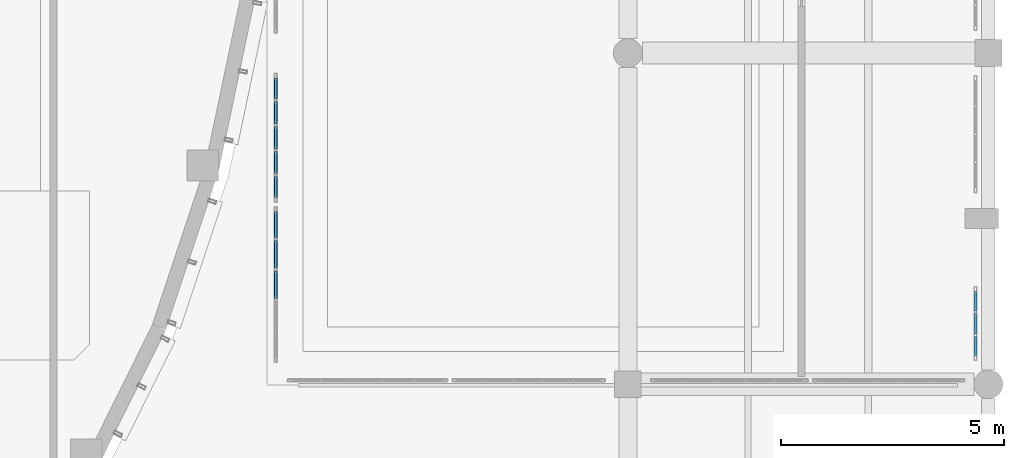
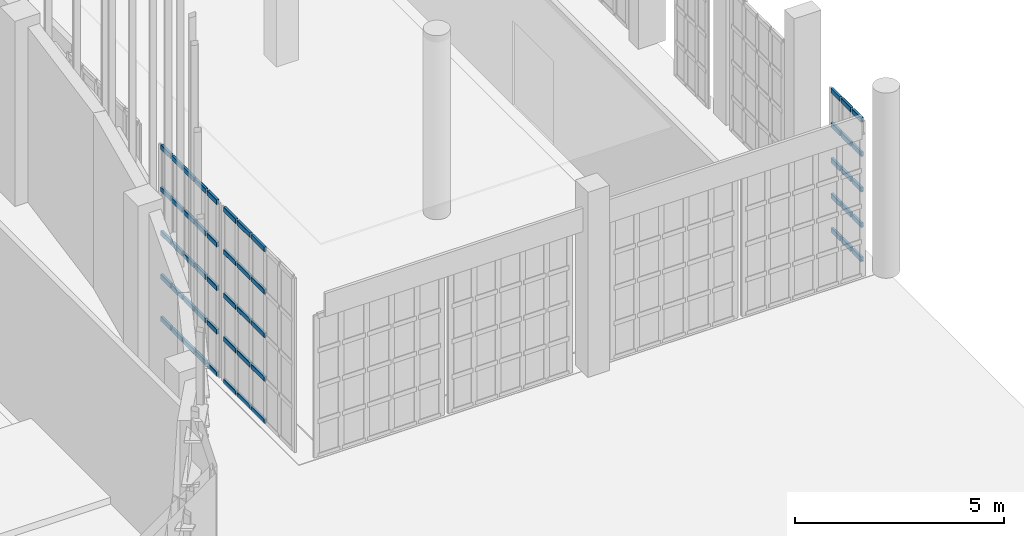
# One storey, part 314 of 372: 55 members, 3 elements without a shape of their own.
"""IFC4 building model written with IfcOpenShell, lengths in metres."""

import ifcopenshell
import ifcopenshell.guid

model = None  # the IFC model being written
_history = None  # IfcOwnerHistory: only IFC2X3 demands one
_inside = {}  # id of a spatial element -> (the spatial element, [elements in it])
_under = {}  # id of a project, library or spatial element -> (it, [spatial elements below it])
_declared = {}  # id of a project -> (the project, [libraries it declares])
_typed = {}  # id of a type object -> (the type object, [elements of that type])
_made_of = {}  # id of a material, layer set ... -> (it, [elements and type objects made of it])


def new_model(schema):
    """Start an empty IFC model of exactly this schema.

    Asked for "IFC4X3", IfcOpenShell would pick the latest addendum, in which some entities
    have other attributes; the version numbers below select the first issue.
    IFC2X3 requires an IfcOwnerHistory on every rooted entity: one is made here for all.
    """
    global model, _history
    if schema == "IFC4X3":
        model = ifcopenshell.file(schema_version=(4, 3, 0, 0))
    else:
        model = ifcopenshell.file(schema=schema)
    _inside.clear()
    _under.clear()
    _declared.clear()
    _typed.clear()
    _made_of.clear()
    _history = None
    if model.schema == "IFC2X3":
        org = make("IfcOrganization", Name="unknown")
        user = make(
            "IfcPersonAndOrganization",
            ThePerson=make("IfcPerson", FamilyName="unknown"),
            TheOrganization=org,
        )
        app = make(
            "IfcApplication",
            ApplicationDeveloper=org,
            Version="unknown",
            ApplicationFullName="unknown",
            ApplicationIdentifier="unknown",
        )
        _history = make(
            "IfcOwnerHistory",
            OwningUser=user,
            OwningApplication=app,
            ChangeAction="ADDED",
            CreationDate=0,
        )
    return model


def make(cls, **values):
    """One entity of the class cls with the attributes given. An attribute that is None is left unset."""
    return model.create_entity(
        cls, **{name: value for name, value in values.items() if value is not None}
    )


def rooted(cls, **values):
    """An entity with a GlobalId (a new one), such as an element, a storey or a relation."""
    return make(cls, GlobalId=ifcopenshell.guid.new(), OwnerHistory=_history, **values)


def si_unit(unit_type, name, prefix=None):
    """IfcSIUnit, for example si_unit("LENGTHUNIT", "METRE", prefix="MILLI")."""
    return make("IfcSIUnit", UnitType=unit_type, Prefix=prefix, Name=name)


def assignment(units):
    """IfcUnitAssignment: the units of a project."""
    return None if units is None else make("IfcUnitAssignment", Units=units)


def point(xyz):
    """IfcCartesianPoint."""
    return None if xyz is None else make("IfcCartesianPoint", Coordinates=xyz)


def direction(xyz):
    """IfcDirection."""
    return None if xyz is None else make("IfcDirection", DirectionRatios=xyz)


def frame(location, z_axis=None, x_axis=None):
    """IfcAxis2Placement3D, a coordinate frame: its origin and axes. An axis left out is left unset."""
    return make(
        "IfcAxis2Placement3D",
        Location=point(location),
        Axis=direction(z_axis),
        RefDirection=direction(x_axis),
    )


def frame_2d(location, x_axis=None):
    """IfcAxis2Placement2D, a coordinate frame in the plane: its origin and x axis."""
    return make(
        "IfcAxis2Placement2D", Location=point(location), RefDirection=direction(x_axis)
    )


def origin():
    """The frame at (0, 0, 0) with its axes left unset."""
    return frame((0.0, 0.0, 0.0))


def origin_2d():
    """The frame at (0, 0) in the plane with its x axis left unset."""
    return frame_2d((0.0, 0.0))


def place(relative_to, where):
    """IfcLocalPlacement: puts the frame where relative to a parent placement (None: the world)."""
    return make(
        "IfcLocalPlacement", PlacementRelTo=relative_to, RelativePlacement=where
    )


def context(
    kind, dimensions, precision=None, world=None, true_north=None, identifier=None
):
    """IfcGeometricRepresentationContext, for example the 3D "Model" context."""
    return make(
        "IfcGeometricRepresentationContext",
        ContextIdentifier=identifier,
        ContextType=kind,
        CoordinateSpaceDimension=dimensions,
        Precision=precision,
        WorldCoordinateSystem=world,
        TrueNorth=true_north,
    )


def subcontext(parent, identifier, kind, view, scale=None):
    """IfcGeometricRepresentationSubContext, for example "Body" below "Model"."""
    return make(
        "IfcGeometricRepresentationSubContext",
        ContextIdentifier=identifier,
        ContextType=kind,
        ParentContext=parent,
        TargetScale=scale,
        TargetView=view,
    )


def project(units=None, contexts=None):
    """IfcProject with its units and contexts."""
    return rooted(
        "IfcProject",
        Name="project",
        RepresentationContexts=contexts,
        UnitsInContext=assignment(units),
    )


def spatial(cls, under=None, at=None, **own):
    """A site, building, storey or space (cls), placed at a placement, below another one or the project."""
    s = rooted(cls, ObjectPlacement=at, **own)
    if under is not None:
        _under.setdefault(under.id(), (under, []))[1].append(s)
    return s


def profile(cls, at=None, kind="AREA", **sizes):
    """A parametric profile (cls). Its sizes go by their IFC names, for example OverallWidth=200.0."""
    return make(cls, ProfileType=kind, Position=at, **sizes)


def hollow_rectangle(**sizes):
    """IfcRectangleHollowProfileDef."""
    return profile("IfcRectangleHollowProfileDef", **sizes)


def extrude(swept, where, along, depth):
    """IfcExtrudedAreaSolid: the profile swept, set in the frame where, extruded along a direction by depth."""
    return make(
        "IfcExtrudedAreaSolid",
        SweptArea=swept,
        Position=where,
        ExtrudedDirection=direction(along),
        Depth=depth,
    )


def shape(context_of_items, identifier, shape_type, items):
    """IfcShapeRepresentation: the items that make up one representation, for example the "Body"."""
    return make(
        "IfcShapeRepresentation",
        ContextOfItems=context_of_items,
        RepresentationIdentifier=identifier,
        RepresentationType=shape_type,
        Items=items,
    )


def material(Name=None, Category=None):
    """IfcMaterial."""
    return make("IfcMaterial", Name=Name, Category=Category)


def material_profile(
    of_material, cross_section, Name=None, Category=None, Priority=None
):
    """IfcMaterialProfile: a cross section and its material."""
    return make(
        "IfcMaterialProfile",
        Name=Name,
        Material=of_material,
        Profile=cross_section,
        Priority=Priority,
        Category=Category,
    )


def profile_set(profiles, Name=None, composite=None):
    """IfcMaterialProfileSet."""
    return make(
        "IfcMaterialProfileSet",
        Name=Name,
        MaterialProfiles=profiles,
        CompositeProfile=composite,
    )


def made_of(thing, what):
    """Note that an element or type object is made of a material, layer set ...; save() writes the relation."""
    if what is not None:
        _made_of.setdefault(what.id(), (what, []))[1].append(thing)
    return thing


def type_object(cls, material=None, **own):
    """A type object (cls), such as IfcWallType, which elements share."""
    return made_of(rooted(cls, **own), material)


def element(
    cls,
    number,
    at=None,
    inside=None,
    cuts=None,
    type_object=None,
    material=None,
    context=None,
    identifier="Body",
    shape_type=None,
    held_by="IfcProductDefinitionShape",
    body=None,
    shapes=None,
    **own,
):
    """One element of the class cls, such as IfcWall. Its Tag is "e" and its number.

    at: its placement. inside: the storey or other place that contains it. cuts: it is an
    opening in that element (IfcRelVoidsElement). A single representation is given by context,
    identifier, shape_type and body (its items); several are given by shapes. held_by: the class
    of the entity that holds the representations. save() writes the other relations.
    """
    e = rooted(cls, Tag="e%d" % number, ObjectPlacement=at, **own)
    if body is not None:
        shapes = [shape(context, identifier, shape_type, body)]
    if shapes is not None:
        e.Representation = make(held_by, Representations=shapes)
    if inside is not None:
        _inside.setdefault(inside.id(), (inside, []))[1].append(e)
    if cuts is not None:
        rooted(
            "IfcRelVoidsElement", RelatingBuildingElement=cuts, RelatedOpeningElement=e
        )
    if type_object is not None:
        _typed.setdefault(type_object.id(), (type_object, []))[1].append(e)
    return made_of(e, material)


def aggregate(whole, parts):
    """IfcRelAggregates: a whole, such as a stair, and the parts it consists of."""
    return rooted("IfcRelAggregates", RelatingObject=whole, RelatedObjects=parts)


def save(model, path):
    """Write the relations noted so far, then the file.

    IfcRelAggregates (storeys below a building ...), IfcRelContainedInSpatialStructure (elements
    in a storey), IfcRelDefinesByType, IfcRelAssociatesMaterial and IfcRelDeclares: one each for
    every whole, place, type object, material and project.
    """
    for whole, parts in _under.values():
        aggregate(whole, parts)
    for where, things in _inside.values():
        rooted(
            "IfcRelContainedInSpatialStructure",
            RelatedElements=things,
            RelatingStructure=where,
        )
    for kind, things in _typed.values():
        rooted("IfcRelDefinesByType", RelatedObjects=things, RelatingType=kind)
    for what, things in _made_of.values():
        rooted("IfcRelAssociatesMaterial", RelatedObjects=things, RelatingMaterial=what)
    for by, libraries in _declared.values():
        rooted("IfcRelDeclares", RelatingContext=by, RelatedDefinitions=libraries)
    model.write(path)


model = new_model("IFC4")

# Units and contexts
model_context = context("Model", 3, precision=1e-05, world=origin(), true_north=direction((0.0, 1.0)))
body_context = subcontext(model_context, "Body", "Model", "MODEL_VIEW")
ifc_project = project(units=[si_unit("LENGTHUNIT", "METRE"), si_unit("AREAUNIT", "SQUARE_METRE"), si_unit("VOLUMEUNIT", "CUBIC_METRE"), si_unit("PLANEANGLEUNIT", "RADIAN"), si_unit("MASSUNIT", "GRAM", prefix="KILO")], contexts=[model_context])

# Site, building, storey
site_placement = place(None, origin())
site = spatial("IfcSite", under=ifc_project, at=site_placement, CompositionType="ELEMENT")
building_placement = place(site_placement, origin())
building = spatial("IfcBuilding", under=site, at=building_placement, Name="Kaelora Sail Theatre", CompositionType="ELEMENT")
storey_placement = place(building_placement, origin())
storey = spatial("IfcBuildingStorey", under=building, at=storey_placement, Name="L00", CompositionType="ELEMENT", Elevation=0.0)

# Curtain wall, members
ifc_material_1 = material(Name="Anodised aluminium and solar-control low-E IGU", Category="aluminium")
curtain_wall_type_1 = type_object("IfcCurtainWallType", Name="ARC-CW-CW-FOY2", PredefinedType="NOTDEFINED", material=ifc_material_1)
curtain_wall_1_placement = place(storey_placement, origin())
curtain_wall_1 = element("IfcCurtainWall", 1, at=curtain_wall_1_placement, inside=storey, type_object=curtain_wall_type_1, Name="Glazed Colonnade/Courtyard Curtain Wall COLE-W-L00-01", PredefinedType="NOTDEFINED")
ifc_material_2 = material(Name="Anodised aluminium 6063-T6", Category="aluminium")
ifc_material_profile = material_profile(ifc_material_2, hollow_rectangle(XDim=0.070068359375, YDim=0.139892578125, WallThickness=0.00390625, InnerFilletRadius=0.00390625, OuterFilletRadius=0.008056640625, at=origin_2d()), Name="ALU-TRAN 70x140x4")
ifc_profile_set = profile_set([ifc_material_profile], Name="Anodised aluminium 6063-T6")
member_type = type_object("IfcMemberType", Name="ARC-MEM-TR-140", PredefinedType="USERDEFINED", material=ifc_profile_set)
member_1_placement = place(storey_placement, frame((147.489990234375, 33.18994140625, 0.034912109375), z_axis=(0.0, 1.0, 0.0), x_axis=(-1.0, 0.0, 0.0)))
member_1 = element("IfcMember", 2, at=member_1_placement, type_object=member_type, Name="CW-FOY2 transom 3.1", ObjectType="TRANSOM", PredefinedType="USERDEFINED", context=body_context, shape_type="SweptSolid", body=[
    extrude(hollow_rectangle(XDim=0.070068359375, YDim=0.139892578125, WallThickness=0.00390625, InnerFilletRadius=0.00390625, OuterFilletRadius=0.008056640625, at=origin_2d()), origin(), (0.0, 0.0, 1.0), 0.6201171875),
])
member_2_placement = place(storey_placement, frame((147.489990234375, 33.18994140625, 1.271240234375), z_axis=(0.0, 1.0, 0.0), x_axis=(-1.0, 0.0, 0.0)))
member_2 = element("IfcMember", 3, at=member_2_placement, type_object=member_type, Name="CW-FOY2 transom 3.2", ObjectType="TRANSOM", PredefinedType="USERDEFINED", context=body_context, shape_type="SweptSolid", body=[
    extrude(hollow_rectangle(XDim=0.070068359375, YDim=0.139892578125, WallThickness=0.00390625, InnerFilletRadius=0.00390625, OuterFilletRadius=0.008056640625, at=origin_2d()), origin(), (0.0, 0.0, 1.0), 0.6201171875),
])
member_3_placement = place(storey_placement, frame((147.489990234375, 33.18994140625, 2.54248046875), z_axis=(0.0, 1.0, 0.0), x_axis=(-1.0, 0.0, 0.0)))
member_3 = element("IfcMember", 4, at=member_3_placement, type_object=member_type, Name="CW-FOY2 transom 3.3", ObjectType="TRANSOM", PredefinedType="USERDEFINED", context=body_context, shape_type="SweptSolid", body=[
    extrude(hollow_rectangle(XDim=0.070068359375, YDim=0.139892578125, WallThickness=0.00390625, InnerFilletRadius=0.00390625, OuterFilletRadius=0.008056640625, at=origin_2d()), origin(), (0.0, 0.0, 1.0), 0.6201171875),
])
member_4_placement = place(storey_placement, frame((147.489990234375, 33.18994140625, 3.813720703125), z_axis=(0.0, 1.0, 0.0), x_axis=(-1.0, 0.0, 0.0)))
member_4 = element("IfcMember", 5, at=member_4_placement, type_object=member_type, Name="CW-FOY2 transom 3.4", ObjectType="TRANSOM", PredefinedType="USERDEFINED", context=body_context, shape_type="SweptSolid", body=[
    extrude(hollow_rectangle(XDim=0.070068359375, YDim=0.139892578125, WallThickness=0.00390625, InnerFilletRadius=0.00390625, OuterFilletRadius=0.008056640625, at=origin_2d()), origin(), (0.0, 0.0, 1.0), 0.6201171875),
])
member_5_placement = place(storey_placement, frame((147.489990234375, 33.18994140625, 5.050048828125), z_axis=(0.0, 1.0, 0.0), x_axis=(-1.0, 0.0, 0.0)))
member_5 = element("IfcMember", 6, at=member_5_placement, type_object=member_type, Name="CW-FOY2 transom 3.5", ObjectType="TRANSOM", PredefinedType="USERDEFINED", context=body_context, shape_type="SweptSolid", body=[
    extrude(hollow_rectangle(XDim=0.070068359375, YDim=0.139892578125, WallThickness=0.00390625, InnerFilletRadius=0.00390625, OuterFilletRadius=0.008056640625, at=origin_2d()), origin(), (0.0, 0.0, 1.0), 0.6201171875),
])
member_6_placement = place(storey_placement, frame((147.489990234375, 33.8701171875, 0.034912109375), z_axis=(0.0, 1.0, 0.0), x_axis=(-1.0, 0.0, 0.0)))
member_6 = element("IfcMember", 7, at=member_6_placement, type_object=member_type, Name="CW-FOY2 transom 4.1", ObjectType="TRANSOM", PredefinedType="USERDEFINED", context=body_context, shape_type="SweptSolid", body=[
    extrude(hollow_rectangle(XDim=0.070068359375, YDim=0.139892578125, WallThickness=0.00390625, InnerFilletRadius=0.00390625, OuterFilletRadius=0.008056640625, at=origin_2d()), origin(), (0.0, 0.0, 1.0), 0.619873046875),
])
member_7_placement = place(storey_placement, frame((147.489990234375, 33.8701171875, 1.271240234375), z_axis=(0.0, 1.0, 0.0), x_axis=(-1.0, 0.0, 0.0)))
member_7 = element("IfcMember", 8, at=member_7_placement, type_object=member_type, Name="CW-FOY2 transom 4.2", ObjectType="TRANSOM", PredefinedType="USERDEFINED", context=body_context, shape_type="SweptSolid", body=[
    extrude(hollow_rectangle(XDim=0.070068359375, YDim=0.139892578125, WallThickness=0.00390625, InnerFilletRadius=0.00390625, OuterFilletRadius=0.008056640625, at=origin_2d()), origin(), (0.0, 0.0, 1.0), 0.619873046875),
])
member_8_placement = place(storey_placement, frame((147.489990234375, 33.8701171875, 2.54248046875), z_axis=(0.0, 1.0, 0.0), x_axis=(-1.0, 0.0, 0.0)))
member_8 = element("IfcMember", 9, at=member_8_placement, type_object=member_type, Name="CW-FOY2 transom 4.3", ObjectType="TRANSOM", PredefinedType="USERDEFINED", context=body_context, shape_type="SweptSolid", body=[
    extrude(hollow_rectangle(XDim=0.070068359375, YDim=0.139892578125, WallThickness=0.00390625, InnerFilletRadius=0.00390625, OuterFilletRadius=0.008056640625, at=origin_2d()), origin(), (0.0, 0.0, 1.0), 0.619873046875),
])
member_9_placement = place(storey_placement, frame((147.489990234375, 33.8701171875, 3.813720703125), z_axis=(0.0, 1.0, 0.0), x_axis=(-1.0, 0.0, 0.0)))
member_9 = element("IfcMember", 10, at=member_9_placement, type_object=member_type, Name="CW-FOY2 transom 4.4", ObjectType="TRANSOM", PredefinedType="USERDEFINED", context=body_context, shape_type="SweptSolid", body=[
    extrude(hollow_rectangle(XDim=0.070068359375, YDim=0.139892578125, WallThickness=0.00390625, InnerFilletRadius=0.00390625, OuterFilletRadius=0.008056640625, at=origin_2d()), origin(), (0.0, 0.0, 1.0), 0.619873046875),
])
member_10_placement = place(storey_placement, frame((147.489990234375, 33.8701171875, 5.050048828125), z_axis=(0.0, 1.0, 0.0), x_axis=(-1.0, 0.0, 0.0)))
member_10 = element("IfcMember", 11, at=member_10_placement, type_object=member_type, Name="CW-FOY2 transom 4.5", ObjectType="TRANSOM", PredefinedType="USERDEFINED", context=body_context, shape_type="SweptSolid", body=[
    extrude(hollow_rectangle(XDim=0.070068359375, YDim=0.139892578125, WallThickness=0.00390625, InnerFilletRadius=0.00390625, OuterFilletRadius=0.008056640625, at=origin_2d()), origin(), (0.0, 0.0, 1.0), 0.619873046875),
])
member_11_placement = place(storey_placement, frame((147.489990234375, 34.550048828125, 0.034912109375), z_axis=(0.0, 1.0, 0.0), x_axis=(-1.0, 0.0, 0.0)))
member_11 = element("IfcMember", 12, at=member_11_placement, type_object=member_type, Name="CW-FOY2 transom 5.1", ObjectType="TRANSOM", PredefinedType="USERDEFINED", context=body_context, shape_type="SweptSolid", body=[
    extrude(hollow_rectangle(XDim=0.070068359375, YDim=0.139892578125, WallThickness=0.00390625, InnerFilletRadius=0.00390625, OuterFilletRadius=0.008056640625, at=origin_2d()), origin(), (0.0, 0.0, 1.0), 0.58984375),
])
member_12_placement = place(storey_placement, frame((147.489990234375, 34.550048828125, 1.271240234375), z_axis=(0.0, 1.0, 0.0), x_axis=(-1.0, 0.0, 0.0)))
member_12 = element("IfcMember", 13, at=member_12_placement, type_object=member_type, Name="CW-FOY2 transom 5.2", ObjectType="TRANSOM", PredefinedType="USERDEFINED", context=body_context, shape_type="SweptSolid", body=[
    extrude(hollow_rectangle(XDim=0.070068359375, YDim=0.139892578125, WallThickness=0.00390625, InnerFilletRadius=0.00390625, OuterFilletRadius=0.008056640625, at=origin_2d()), origin(), (0.0, 0.0, 1.0), 0.58984375),
])
member_13_placement = place(storey_placement, frame((147.489990234375, 34.550048828125, 2.54248046875), z_axis=(0.0, 1.0, 0.0), x_axis=(-1.0, 0.0, 0.0)))
member_13 = element("IfcMember", 14, at=member_13_placement, type_object=member_type, Name="CW-FOY2 transom 5.3", ObjectType="TRANSOM", PredefinedType="USERDEFINED", context=body_context, shape_type="SweptSolid", body=[
    extrude(hollow_rectangle(XDim=0.070068359375, YDim=0.139892578125, WallThickness=0.00390625, InnerFilletRadius=0.00390625, OuterFilletRadius=0.008056640625, at=origin_2d()), origin(), (0.0, 0.0, 1.0), 0.58984375),
])
member_14_placement = place(storey_placement, frame((147.489990234375, 34.550048828125, 3.813720703125), z_axis=(0.0, 1.0, 0.0), x_axis=(-1.0, 0.0, 0.0)))
member_14 = element("IfcMember", 15, at=member_14_placement, type_object=member_type, Name="CW-FOY2 transom 5.4", ObjectType="TRANSOM", PredefinedType="USERDEFINED", context=body_context, shape_type="SweptSolid", body=[
    extrude(hollow_rectangle(XDim=0.070068359375, YDim=0.139892578125, WallThickness=0.00390625, InnerFilletRadius=0.00390625, OuterFilletRadius=0.008056640625, at=origin_2d()), origin(), (0.0, 0.0, 1.0), 0.58984375),
])
member_15_placement = place(storey_placement, frame((147.489990234375, 34.550048828125, 5.050048828125), z_axis=(0.0, 1.0, 0.0), x_axis=(-1.0, 0.0, 0.0)))
member_15 = element("IfcMember", 16, at=member_15_placement, type_object=member_type, Name="CW-FOY2 transom 5.5", ObjectType="TRANSOM", PredefinedType="USERDEFINED", context=body_context, shape_type="SweptSolid", body=[
    extrude(hollow_rectangle(XDim=0.070068359375, YDim=0.139892578125, WallThickness=0.00390625, InnerFilletRadius=0.00390625, OuterFilletRadius=0.008056640625, at=origin_2d()), origin(), (0.0, 0.0, 1.0), 0.58984375),
])
aggregate(curtain_wall_1, [member_1, member_2, member_3, member_4, member_5, member_6, member_7, member_8, member_9, member_10, member_11, member_12, member_13, member_14, member_15])

curtain_wall_2_placement = place(storey_placement, origin())
curtain_wall_2 = element("IfcCurtainWall", 17, at=curtain_wall_2_placement, inside=storey, type_object=curtain_wall_type_1, Name="Glazed Colonnade/Courtyard Curtain Wall COLE-W-L00-02", PredefinedType="NOTDEFINED")
member_16_placement = place(storey_placement, frame((147.489990234375, 35.4599609375, 0.034912109375), z_axis=(0.0, 1.0, 0.0), x_axis=(-1.0, 0.0, 0.0)))
member_16 = element("IfcMember", 18, at=member_16_placement, type_object=member_type, Name="CW-FOY2 transom 1.1", ObjectType="TRANSOM", PredefinedType="USERDEFINED", context=body_context, shape_type="SweptSolid", body=[
    extrude(hollow_rectangle(XDim=0.070068359375, YDim=0.139892578125, WallThickness=0.00390625, InnerFilletRadius=0.00390625, OuterFilletRadius=0.008056640625, at=origin_2d()), origin(), (0.0, 0.0, 1.0), 0.469970703125),
])
member_17_placement = place(storey_placement, frame((147.489990234375, 35.4599609375, 1.271240234375), z_axis=(0.0, 1.0, 0.0), x_axis=(-1.0, 0.0, 0.0)))
member_17 = element("IfcMember", 19, at=member_17_placement, type_object=member_type, Name="CW-FOY2 transom 1.2", ObjectType="TRANSOM", PredefinedType="USERDEFINED", context=body_context, shape_type="SweptSolid", body=[
    extrude(hollow_rectangle(XDim=0.070068359375, YDim=0.139892578125, WallThickness=0.00390625, InnerFilletRadius=0.00390625, OuterFilletRadius=0.008056640625, at=origin_2d()), origin(), (0.0, 0.0, 1.0), 0.469970703125),
])
member_18_placement = place(storey_placement, frame((147.489990234375, 35.4599609375, 2.54248046875), z_axis=(0.0, 1.0, 0.0), x_axis=(-1.0, 0.0, 0.0)))
member_18 = element("IfcMember", 20, at=member_18_placement, type_object=member_type, Name="CW-FOY2 transom 1.3", ObjectType="TRANSOM", PredefinedType="USERDEFINED", context=body_context, shape_type="SweptSolid", body=[
    extrude(hollow_rectangle(XDim=0.070068359375, YDim=0.139892578125, WallThickness=0.00390625, InnerFilletRadius=0.00390625, OuterFilletRadius=0.008056640625, at=origin_2d()), origin(), (0.0, 0.0, 1.0), 0.469970703125),
])
member_19_placement = place(storey_placement, frame((147.489990234375, 35.4599609375, 3.813720703125), z_axis=(0.0, 1.0, 0.0), x_axis=(-1.0, 0.0, 0.0)))
member_19 = element("IfcMember", 21, at=member_19_placement, type_object=member_type, Name="CW-FOY2 transom 1.4", ObjectType="TRANSOM", PredefinedType="USERDEFINED", context=body_context, shape_type="SweptSolid", body=[
    extrude(hollow_rectangle(XDim=0.070068359375, YDim=0.139892578125, WallThickness=0.00390625, InnerFilletRadius=0.00390625, OuterFilletRadius=0.008056640625, at=origin_2d()), origin(), (0.0, 0.0, 1.0), 0.469970703125),
])
member_20_placement = place(storey_placement, frame((147.489990234375, 35.4599609375, 5.050048828125), z_axis=(0.0, 1.0, 0.0), x_axis=(-1.0, 0.0, 0.0)))
member_20 = element("IfcMember", 22, at=member_20_placement, type_object=member_type, Name="CW-FOY2 transom 1.5", ObjectType="TRANSOM", PredefinedType="USERDEFINED", context=body_context, shape_type="SweptSolid", body=[
    extrude(hollow_rectangle(XDim=0.070068359375, YDim=0.139892578125, WallThickness=0.00390625, InnerFilletRadius=0.00390625, OuterFilletRadius=0.008056640625, at=origin_2d()), origin(), (0.0, 0.0, 1.0), 0.469970703125),
])
member_21_placement = place(storey_placement, frame((147.489990234375, 35.989990234375, 0.034912109375), z_axis=(0.0, 1.0, 0.0), x_axis=(-1.0, 0.0, 0.0)))
member_21 = element("IfcMember", 23, at=member_21_placement, type_object=member_type, Name="CW-FOY2 transom 2.1", ObjectType="TRANSOM", PredefinedType="USERDEFINED", context=body_context, shape_type="SweptSolid", body=[
    extrude(hollow_rectangle(XDim=0.070068359375, YDim=0.139892578125, WallThickness=0.00390625, InnerFilletRadius=0.00390625, OuterFilletRadius=0.008056640625, at=origin_2d()), origin(), (0.0, 0.0, 1.0), 0.5),
])
member_22_placement = place(storey_placement, frame((147.489990234375, 35.989990234375, 1.271240234375), z_axis=(0.0, 1.0, 0.0), x_axis=(-1.0, 0.0, 0.0)))
member_22 = element("IfcMember", 24, at=member_22_placement, type_object=member_type, Name="CW-FOY2 transom 2.2", ObjectType="TRANSOM", PredefinedType="USERDEFINED", context=body_context, shape_type="SweptSolid", body=[
    extrude(hollow_rectangle(XDim=0.070068359375, YDim=0.139892578125, WallThickness=0.00390625, InnerFilletRadius=0.00390625, OuterFilletRadius=0.008056640625, at=origin_2d()), origin(), (0.0, 0.0, 1.0), 0.5),
])
member_23_placement = place(storey_placement, frame((147.489990234375, 35.989990234375, 2.54248046875), z_axis=(0.0, 1.0, 0.0), x_axis=(-1.0, 0.0, 0.0)))
member_23 = element("IfcMember", 25, at=member_23_placement, type_object=member_type, Name="CW-FOY2 transom 2.3", ObjectType="TRANSOM", PredefinedType="USERDEFINED", context=body_context, shape_type="SweptSolid", body=[
    extrude(hollow_rectangle(XDim=0.070068359375, YDim=0.139892578125, WallThickness=0.00390625, InnerFilletRadius=0.00390625, OuterFilletRadius=0.008056640625, at=origin_2d()), origin(), (0.0, 0.0, 1.0), 0.5),
])
member_24_placement = place(storey_placement, frame((147.489990234375, 35.989990234375, 3.813720703125), z_axis=(0.0, 1.0, 0.0), x_axis=(-1.0, 0.0, 0.0)))
member_24 = element("IfcMember", 26, at=member_24_placement, type_object=member_type, Name="CW-FOY2 transom 2.4", ObjectType="TRANSOM", PredefinedType="USERDEFINED", context=body_context, shape_type="SweptSolid", body=[
    extrude(hollow_rectangle(XDim=0.070068359375, YDim=0.139892578125, WallThickness=0.00390625, InnerFilletRadius=0.00390625, OuterFilletRadius=0.008056640625, at=origin_2d()), origin(), (0.0, 0.0, 1.0), 0.5),
])
member_25_placement = place(storey_placement, frame((147.489990234375, 35.989990234375, 5.050048828125), z_axis=(0.0, 1.0, 0.0), x_axis=(-1.0, 0.0, 0.0)))
member_25 = element("IfcMember", 27, at=member_25_placement, type_object=member_type, Name="CW-FOY2 transom 2.5", ObjectType="TRANSOM", PredefinedType="USERDEFINED", context=body_context, shape_type="SweptSolid", body=[
    extrude(hollow_rectangle(XDim=0.070068359375, YDim=0.139892578125, WallThickness=0.00390625, InnerFilletRadius=0.00390625, OuterFilletRadius=0.008056640625, at=origin_2d()), origin(), (0.0, 0.0, 1.0), 0.5),
])
member_26_placement = place(storey_placement, frame((147.489990234375, 36.550048828125, 0.034912109375), z_axis=(0.0, 1.0, 0.0), x_axis=(-1.0, 0.0, 0.0)))
member_26 = element("IfcMember", 28, at=member_26_placement, type_object=member_type, Name="CW-FOY2 transom 3.1", ObjectType="TRANSOM", PredefinedType="USERDEFINED", context=body_context, shape_type="SweptSolid", body=[
    extrude(hollow_rectangle(XDim=0.070068359375, YDim=0.139892578125, WallThickness=0.00390625, InnerFilletRadius=0.00390625, OuterFilletRadius=0.008056640625, at=origin_2d()), origin(), (0.0, 0.0, 1.0), 0.5),
])
member_27_placement = place(storey_placement, frame((147.489990234375, 36.550048828125, 1.271240234375), z_axis=(0.0, 1.0, 0.0), x_axis=(-1.0, 0.0, 0.0)))
member_27 = element("IfcMember", 29, at=member_27_placement, type_object=member_type, Name="CW-FOY2 transom 3.2", ObjectType="TRANSOM", PredefinedType="USERDEFINED", context=body_context, shape_type="SweptSolid", body=[
    extrude(hollow_rectangle(XDim=0.070068359375, YDim=0.139892578125, WallThickness=0.00390625, InnerFilletRadius=0.00390625, OuterFilletRadius=0.008056640625, at=origin_2d()), origin(), (0.0, 0.0, 1.0), 0.5),
])
member_28_placement = place(storey_placement, frame((147.489990234375, 36.550048828125, 2.54248046875), z_axis=(0.0, 1.0, 0.0), x_axis=(-1.0, 0.0, 0.0)))
member_28 = element("IfcMember", 30, at=member_28_placement, type_object=member_type, Name="CW-FOY2 transom 3.3", ObjectType="TRANSOM", PredefinedType="USERDEFINED", context=body_context, shape_type="SweptSolid", body=[
    extrude(hollow_rectangle(XDim=0.070068359375, YDim=0.139892578125, WallThickness=0.00390625, InnerFilletRadius=0.00390625, OuterFilletRadius=0.008056640625, at=origin_2d()), origin(), (0.0, 0.0, 1.0), 0.5),
])
member_29_placement = place(storey_placement, frame((147.489990234375, 36.550048828125, 3.813720703125), z_axis=(0.0, 1.0, 0.0), x_axis=(-1.0, 0.0, 0.0)))
member_29 = element("IfcMember", 31, at=member_29_placement, type_object=member_type, Name="CW-FOY2 transom 3.4", ObjectType="TRANSOM", PredefinedType="USERDEFINED", context=body_context, shape_type="SweptSolid", body=[
    extrude(hollow_rectangle(XDim=0.070068359375, YDim=0.139892578125, WallThickness=0.00390625, InnerFilletRadius=0.00390625, OuterFilletRadius=0.008056640625, at=origin_2d()), origin(), (0.0, 0.0, 1.0), 0.5),
])
member_30_placement = place(storey_placement, frame((147.489990234375, 36.550048828125, 5.050048828125), z_axis=(0.0, 1.0, 0.0), x_axis=(-1.0, 0.0, 0.0)))
member_30 = element("IfcMember", 32, at=member_30_placement, type_object=member_type, Name="CW-FOY2 transom 3.5", ObjectType="TRANSOM", PredefinedType="USERDEFINED", context=body_context, shape_type="SweptSolid", body=[
    extrude(hollow_rectangle(XDim=0.070068359375, YDim=0.139892578125, WallThickness=0.00390625, InnerFilletRadius=0.00390625, OuterFilletRadius=0.008056640625, at=origin_2d()), origin(), (0.0, 0.0, 1.0), 0.5),
])
member_31_placement = place(storey_placement, frame((147.489990234375, 37.110107421875, 0.034912109375), z_axis=(0.0, 1.0, 0.0), x_axis=(-1.0, 0.0, 0.0)))
member_31 = element("IfcMember", 33, at=member_31_placement, type_object=member_type, Name="CW-FOY2 transom 4.1", ObjectType="TRANSOM", PredefinedType="USERDEFINED", context=body_context, shape_type="SweptSolid", body=[
    extrude(hollow_rectangle(XDim=0.070068359375, YDim=0.139892578125, WallThickness=0.00390625, InnerFilletRadius=0.00390625, OuterFilletRadius=0.008056640625, at=origin_2d()), origin(), (0.0, 0.0, 1.0), 0.5),
])
member_32_placement = place(storey_placement, frame((147.489990234375, 37.110107421875, 1.271240234375), z_axis=(0.0, 1.0, 0.0), x_axis=(-1.0, 0.0, 0.0)))
member_32 = element("IfcMember", 34, at=member_32_placement, type_object=member_type, Name="CW-FOY2 transom 4.2", ObjectType="TRANSOM", PredefinedType="USERDEFINED", context=body_context, shape_type="SweptSolid", body=[
    extrude(hollow_rectangle(XDim=0.070068359375, YDim=0.139892578125, WallThickness=0.00390625, InnerFilletRadius=0.00390625, OuterFilletRadius=0.008056640625, at=origin_2d()), origin(), (0.0, 0.0, 1.0), 0.5),
])
member_33_placement = place(storey_placement, frame((147.489990234375, 37.110107421875, 2.54248046875), z_axis=(0.0, 1.0, 0.0), x_axis=(-1.0, 0.0, 0.0)))
member_33 = element("IfcMember", 35, at=member_33_placement, type_object=member_type, Name="CW-FOY2 transom 4.3", ObjectType="TRANSOM", PredefinedType="USERDEFINED", context=body_context, shape_type="SweptSolid", body=[
    extrude(hollow_rectangle(XDim=0.070068359375, YDim=0.139892578125, WallThickness=0.00390625, InnerFilletRadius=0.00390625, OuterFilletRadius=0.008056640625, at=origin_2d()), origin(), (0.0, 0.0, 1.0), 0.5),
])
member_34_placement = place(storey_placement, frame((147.489990234375, 37.110107421875, 3.813720703125), z_axis=(0.0, 1.0, 0.0), x_axis=(-1.0, 0.0, 0.0)))
member_34 = element("IfcMember", 36, at=member_34_placement, type_object=member_type, Name="CW-FOY2 transom 4.4", ObjectType="TRANSOM", PredefinedType="USERDEFINED", context=body_context, shape_type="SweptSolid", body=[
    extrude(hollow_rectangle(XDim=0.070068359375, YDim=0.139892578125, WallThickness=0.00390625, InnerFilletRadius=0.00390625, OuterFilletRadius=0.008056640625, at=origin_2d()), origin(), (0.0, 0.0, 1.0), 0.5),
])
member_35_placement = place(storey_placement, frame((147.489990234375, 37.110107421875, 5.050048828125), z_axis=(0.0, 1.0, 0.0), x_axis=(-1.0, 0.0, 0.0)))
member_35 = element("IfcMember", 37, at=member_35_placement, type_object=member_type, Name="CW-FOY2 transom 4.5", ObjectType="TRANSOM", PredefinedType="USERDEFINED", context=body_context, shape_type="SweptSolid", body=[
    extrude(hollow_rectangle(XDim=0.070068359375, YDim=0.139892578125, WallThickness=0.00390625, InnerFilletRadius=0.00390625, OuterFilletRadius=0.008056640625, at=origin_2d()), origin(), (0.0, 0.0, 1.0), 0.5),
])
member_36_placement = place(storey_placement, frame((147.489990234375, 37.669921875, 0.034912109375), z_axis=(0.0, 1.0, 0.0), x_axis=(-1.0, 0.0, 0.0)))
member_36 = element("IfcMember", 38, at=member_36_placement, type_object=member_type, Name="CW-FOY2 transom 5.1", ObjectType="TRANSOM", PredefinedType="USERDEFINED", context=body_context, shape_type="SweptSolid", body=[
    extrude(hollow_rectangle(XDim=0.070068359375, YDim=0.139892578125, WallThickness=0.00390625, InnerFilletRadius=0.00390625, OuterFilletRadius=0.008056640625, at=origin_2d()), origin(), (0.0, 0.0, 1.0), 0.469970703125),
])
member_37_placement = place(storey_placement, frame((147.489990234375, 37.669921875, 1.271240234375), z_axis=(0.0, 1.0, 0.0), x_axis=(-1.0, 0.0, 0.0)))
member_37 = element("IfcMember", 39, at=member_37_placement, type_object=member_type, Name="CW-FOY2 transom 5.2", ObjectType="TRANSOM", PredefinedType="USERDEFINED", context=body_context, shape_type="SweptSolid", body=[
    extrude(hollow_rectangle(XDim=0.070068359375, YDim=0.139892578125, WallThickness=0.00390625, InnerFilletRadius=0.00390625, OuterFilletRadius=0.008056640625, at=origin_2d()), origin(), (0.0, 0.0, 1.0), 0.469970703125),
])
member_38_placement = place(storey_placement, frame((147.489990234375, 37.669921875, 2.54248046875), z_axis=(0.0, 1.0, 0.0), x_axis=(-1.0, 0.0, 0.0)))
member_38 = element("IfcMember", 40, at=member_38_placement, type_object=member_type, Name="CW-FOY2 transom 5.3", ObjectType="TRANSOM", PredefinedType="USERDEFINED", context=body_context, shape_type="SweptSolid", body=[
    extrude(hollow_rectangle(XDim=0.070068359375, YDim=0.139892578125, WallThickness=0.00390625, InnerFilletRadius=0.00390625, OuterFilletRadius=0.008056640625, at=origin_2d()), origin(), (0.0, 0.0, 1.0), 0.469970703125),
])
member_39_placement = place(storey_placement, frame((147.489990234375, 37.669921875, 3.813720703125), z_axis=(0.0, 1.0, 0.0), x_axis=(-1.0, 0.0, 0.0)))
member_39 = element("IfcMember", 41, at=member_39_placement, type_object=member_type, Name="CW-FOY2 transom 5.4", ObjectType="TRANSOM", PredefinedType="USERDEFINED", context=body_context, shape_type="SweptSolid", body=[
    extrude(hollow_rectangle(XDim=0.070068359375, YDim=0.139892578125, WallThickness=0.00390625, InnerFilletRadius=0.00390625, OuterFilletRadius=0.008056640625, at=origin_2d()), origin(), (0.0, 0.0, 1.0), 0.469970703125),
])
member_40_placement = place(storey_placement, frame((147.489990234375, 37.669921875, 5.050048828125), z_axis=(0.0, 1.0, 0.0), x_axis=(-1.0, 0.0, 0.0)))
member_40 = element("IfcMember", 42, at=member_40_placement, type_object=member_type, Name="CW-FOY2 transom 5.5", ObjectType="TRANSOM", PredefinedType="USERDEFINED", context=body_context, shape_type="SweptSolid", body=[
    extrude(hollow_rectangle(XDim=0.070068359375, YDim=0.139892578125, WallThickness=0.00390625, InnerFilletRadius=0.00390625, OuterFilletRadius=0.008056640625, at=origin_2d()), origin(), (0.0, 0.0, 1.0), 0.469970703125),
])
aggregate(curtain_wall_2, [member_16, member_17, member_18, member_19, member_20, member_21, member_22, member_23, member_24, member_25, member_26, member_27, member_28, member_29, member_30, member_31, member_32, member_33, member_34, member_35, member_36, member_37, member_38, member_39, member_40])

ifc_material_3 = material(Name="Anodised aluminium and solar-control low-E IGU", Category="aluminium")
curtain_wall_type_2 = type_object("IfcCurtainWallType", Name="ARC-CW-CW-FOY1", PredefinedType="NOTDEFINED", material=ifc_material_3)
curtain_wall_3_placement = place(storey_placement, origin())
curtain_wall_3 = element("IfcCurtainWall", 43, at=curtain_wall_3_placement, inside=storey, type_object=curtain_wall_type_2, Name="Glazed Colonnade/Courtyard Curtain Wall COLE-E-L00-01", PredefinedType="NOTDEFINED")
member_41_placement = place(storey_placement, frame((163.2099609375, 31.905029296875, 0.034912109375), z_axis=(0.0, 1.0, 0.0), x_axis=(-1.0, 0.0, 0.0)))
member_41 = element("IfcMember", 44, at=member_41_placement, type_object=member_type, Name="CW-FOY1 transom 1.1", ObjectType="TRANSOM", PredefinedType="USERDEFINED", context=body_context, shape_type="SweptSolid", body=[
    extrude(hollow_rectangle(XDim=0.070068359375, YDim=0.139892578125, WallThickness=0.00390625, InnerFilletRadius=0.00390625, OuterFilletRadius=0.008056640625, at=origin_2d()), origin(), (0.0, 0.0, 1.0), 0.42822265625),
])
member_42_placement = place(storey_placement, frame((163.2099609375, 31.905029296875, 1.0341796875), z_axis=(0.0, 1.0, 0.0), x_axis=(-1.0, 0.0, 0.0)))
member_42 = element("IfcMember", 45, at=member_42_placement, type_object=member_type, Name="CW-FOY1 transom 1.2", ObjectType="TRANSOM", PredefinedType="USERDEFINED", context=body_context, shape_type="SweptSolid", body=[
    extrude(hollow_rectangle(XDim=0.070068359375, YDim=0.139892578125, WallThickness=0.00390625, InnerFilletRadius=0.00390625, OuterFilletRadius=0.008056640625, at=origin_2d()), origin(), (0.0, 0.0, 1.0), 0.42822265625),
])
member_43_placement = place(storey_placement, frame((163.2099609375, 31.905029296875, 2.068603515625), z_axis=(0.0, 1.0, 0.0), x_axis=(-1.0, 0.0, 0.0)))
member_43 = element("IfcMember", 46, at=member_43_placement, type_object=member_type, Name="CW-FOY1 transom 1.3", ObjectType="TRANSOM", PredefinedType="USERDEFINED", context=body_context, shape_type="SweptSolid", body=[
    extrude(hollow_rectangle(XDim=0.070068359375, YDim=0.139892578125, WallThickness=0.00390625, InnerFilletRadius=0.00390625, OuterFilletRadius=0.008056640625, at=origin_2d()), origin(), (0.0, 0.0, 1.0), 0.42822265625),
])
member_44_placement = place(storey_placement, frame((163.2099609375, 31.905029296875, 3.102783203125), z_axis=(0.0, 1.0, 0.0), x_axis=(-1.0, 0.0, 0.0)))
member_44 = element("IfcMember", 47, at=member_44_placement, type_object=member_type, Name="CW-FOY1 transom 1.4", ObjectType="TRANSOM", PredefinedType="USERDEFINED", context=body_context, shape_type="SweptSolid", body=[
    extrude(hollow_rectangle(XDim=0.070068359375, YDim=0.139892578125, WallThickness=0.00390625, InnerFilletRadius=0.00390625, OuterFilletRadius=0.008056640625, at=origin_2d()), origin(), (0.0, 0.0, 1.0), 0.42822265625),
])
member_45_placement = place(storey_placement, frame((163.2099609375, 31.905029296875, 4.10205078125), z_axis=(0.0, 1.0, 0.0), x_axis=(-1.0, 0.0, 0.0)))
member_45 = element("IfcMember", 48, at=member_45_placement, type_object=member_type, Name="CW-FOY1 transom 1.5", ObjectType="TRANSOM", PredefinedType="USERDEFINED", context=body_context, shape_type="SweptSolid", body=[
    extrude(hollow_rectangle(XDim=0.070068359375, YDim=0.139892578125, WallThickness=0.00390625, InnerFilletRadius=0.00390625, OuterFilletRadius=0.008056640625, at=origin_2d()), origin(), (0.0, 0.0, 1.0), 0.42822265625),
])
member_46_placement = place(storey_placement, frame((163.2099609375, 32.393310546875, 0.034912109375), z_axis=(0.0, 1.0, 0.0), x_axis=(-1.0, 0.0, 0.0)))
member_46 = element("IfcMember", 49, at=member_46_placement, type_object=member_type, Name="CW-FOY1 transom 2.1", ObjectType="TRANSOM", PredefinedType="USERDEFINED", context=body_context, shape_type="SweptSolid", body=[
    extrude(hollow_rectangle(XDim=0.070068359375, YDim=0.139892578125, WallThickness=0.00390625, InnerFilletRadius=0.00390625, OuterFilletRadius=0.008056640625, at=origin_2d()), origin(), (0.0, 0.0, 1.0), 0.458251953125),
])
member_47_placement = place(storey_placement, frame((163.2099609375, 32.393310546875, 1.0341796875), z_axis=(0.0, 1.0, 0.0), x_axis=(-1.0, 0.0, 0.0)))
member_47 = element("IfcMember", 50, at=member_47_placement, type_object=member_type, Name="CW-FOY1 transom 2.2", ObjectType="TRANSOM", PredefinedType="USERDEFINED", context=body_context, shape_type="SweptSolid", body=[
    extrude(hollow_rectangle(XDim=0.070068359375, YDim=0.139892578125, WallThickness=0.00390625, InnerFilletRadius=0.00390625, OuterFilletRadius=0.008056640625, at=origin_2d()), origin(), (0.0, 0.0, 1.0), 0.458251953125),
])
member_48_placement = place(storey_placement, frame((163.2099609375, 32.393310546875, 2.068603515625), z_axis=(0.0, 1.0, 0.0), x_axis=(-1.0, 0.0, 0.0)))
member_48 = element("IfcMember", 51, at=member_48_placement, type_object=member_type, Name="CW-FOY1 transom 2.3", ObjectType="TRANSOM", PredefinedType="USERDEFINED", context=body_context, shape_type="SweptSolid", body=[
    extrude(hollow_rectangle(XDim=0.070068359375, YDim=0.139892578125, WallThickness=0.00390625, InnerFilletRadius=0.00390625, OuterFilletRadius=0.008056640625, at=origin_2d()), origin(), (0.0, 0.0, 1.0), 0.458251953125),
])
member_49_placement = place(storey_placement, frame((163.2099609375, 32.393310546875, 3.102783203125), z_axis=(0.0, 1.0, 0.0), x_axis=(-1.0, 0.0, 0.0)))
member_49 = element("IfcMember", 52, at=member_49_placement, type_object=member_type, Name="CW-FOY1 transom 2.4", ObjectType="TRANSOM", PredefinedType="USERDEFINED", context=body_context, shape_type="SweptSolid", body=[
    extrude(hollow_rectangle(XDim=0.070068359375, YDim=0.139892578125, WallThickness=0.00390625, InnerFilletRadius=0.00390625, OuterFilletRadius=0.008056640625, at=origin_2d()), origin(), (0.0, 0.0, 1.0), 0.458251953125),
])
member_50_placement = place(storey_placement, frame((163.2099609375, 32.393310546875, 4.10205078125), z_axis=(0.0, 1.0, 0.0), x_axis=(-1.0, 0.0, 0.0)))
member_50 = element("IfcMember", 53, at=member_50_placement, type_object=member_type, Name="CW-FOY1 transom 2.5", ObjectType="TRANSOM", PredefinedType="USERDEFINED", context=body_context, shape_type="SweptSolid", body=[
    extrude(hollow_rectangle(XDim=0.070068359375, YDim=0.139892578125, WallThickness=0.00390625, InnerFilletRadius=0.00390625, OuterFilletRadius=0.008056640625, at=origin_2d()), origin(), (0.0, 0.0, 1.0), 0.458251953125),
])
member_51_placement = place(storey_placement, frame((163.2099609375, 32.91162109375, 0.034912109375), z_axis=(0.0, 1.0, 0.0), x_axis=(-1.0, 0.0, 0.0)))
member_51 = element("IfcMember", 54, at=member_51_placement, type_object=member_type, Name="CW-FOY1 transom 3.1", ObjectType="TRANSOM", PredefinedType="USERDEFINED", context=body_context, shape_type="SweptSolid", body=[
    extrude(hollow_rectangle(XDim=0.070068359375, YDim=0.139892578125, WallThickness=0.00390625, InnerFilletRadius=0.00390625, OuterFilletRadius=0.008056640625, at=origin_2d()), origin(), (0.0, 0.0, 1.0), 0.428466796875),
])
member_52_placement = place(storey_placement, frame((163.2099609375, 32.91162109375, 1.0341796875), z_axis=(0.0, 1.0, 0.0), x_axis=(-1.0, 0.0, 0.0)))
member_52 = element("IfcMember", 55, at=member_52_placement, type_object=member_type, Name="CW-FOY1 transom 3.2", ObjectType="TRANSOM", PredefinedType="USERDEFINED", context=body_context, shape_type="SweptSolid", body=[
    extrude(hollow_rectangle(XDim=0.070068359375, YDim=0.139892578125, WallThickness=0.00390625, InnerFilletRadius=0.00390625, OuterFilletRadius=0.008056640625, at=origin_2d()), origin(), (0.0, 0.0, 1.0), 0.428466796875),
])
member_53_placement = place(storey_placement, frame((163.2099609375, 32.91162109375, 2.068603515625), z_axis=(0.0, 1.0, 0.0), x_axis=(-1.0, 0.0, 0.0)))
member_53 = element("IfcMember", 56, at=member_53_placement, type_object=member_type, Name="CW-FOY1 transom 3.3", ObjectType="TRANSOM", PredefinedType="USERDEFINED", context=body_context, shape_type="SweptSolid", body=[
    extrude(hollow_rectangle(XDim=0.070068359375, YDim=0.139892578125, WallThickness=0.00390625, InnerFilletRadius=0.00390625, OuterFilletRadius=0.008056640625, at=origin_2d()), origin(), (0.0, 0.0, 1.0), 0.428466796875),
])
member_54_placement = place(storey_placement, frame((163.2099609375, 32.91162109375, 3.102783203125), z_axis=(0.0, 1.0, 0.0), x_axis=(-1.0, 0.0, 0.0)))
member_54 = element("IfcMember", 57, at=member_54_placement, type_object=member_type, Name="CW-FOY1 transom 3.4", ObjectType="TRANSOM", PredefinedType="USERDEFINED", context=body_context, shape_type="SweptSolid", body=[
    extrude(hollow_rectangle(XDim=0.070068359375, YDim=0.139892578125, WallThickness=0.00390625, InnerFilletRadius=0.00390625, OuterFilletRadius=0.008056640625, at=origin_2d()), origin(), (0.0, 0.0, 1.0), 0.428466796875),
])
member_55_placement = place(storey_placement, frame((163.2099609375, 32.91162109375, 4.10205078125), z_axis=(0.0, 1.0, 0.0), x_axis=(-1.0, 0.0, 0.0)))
member_55 = element("IfcMember", 58, at=member_55_placement, type_object=member_type, Name="CW-FOY1 transom 3.5", ObjectType="TRANSOM", PredefinedType="USERDEFINED", context=body_context, shape_type="SweptSolid", body=[
    extrude(hollow_rectangle(XDim=0.070068359375, YDim=0.139892578125, WallThickness=0.00390625, InnerFilletRadius=0.00390625, OuterFilletRadius=0.008056640625, at=origin_2d()), origin(), (0.0, 0.0, 1.0), 0.428466796875),
])
aggregate(curtain_wall_3, [member_41, member_42, member_43, member_44, member_45, member_46, member_47, member_48, member_49, member_50, member_51, member_52, member_53, member_54, member_55])

save(model, "model.ifc")
